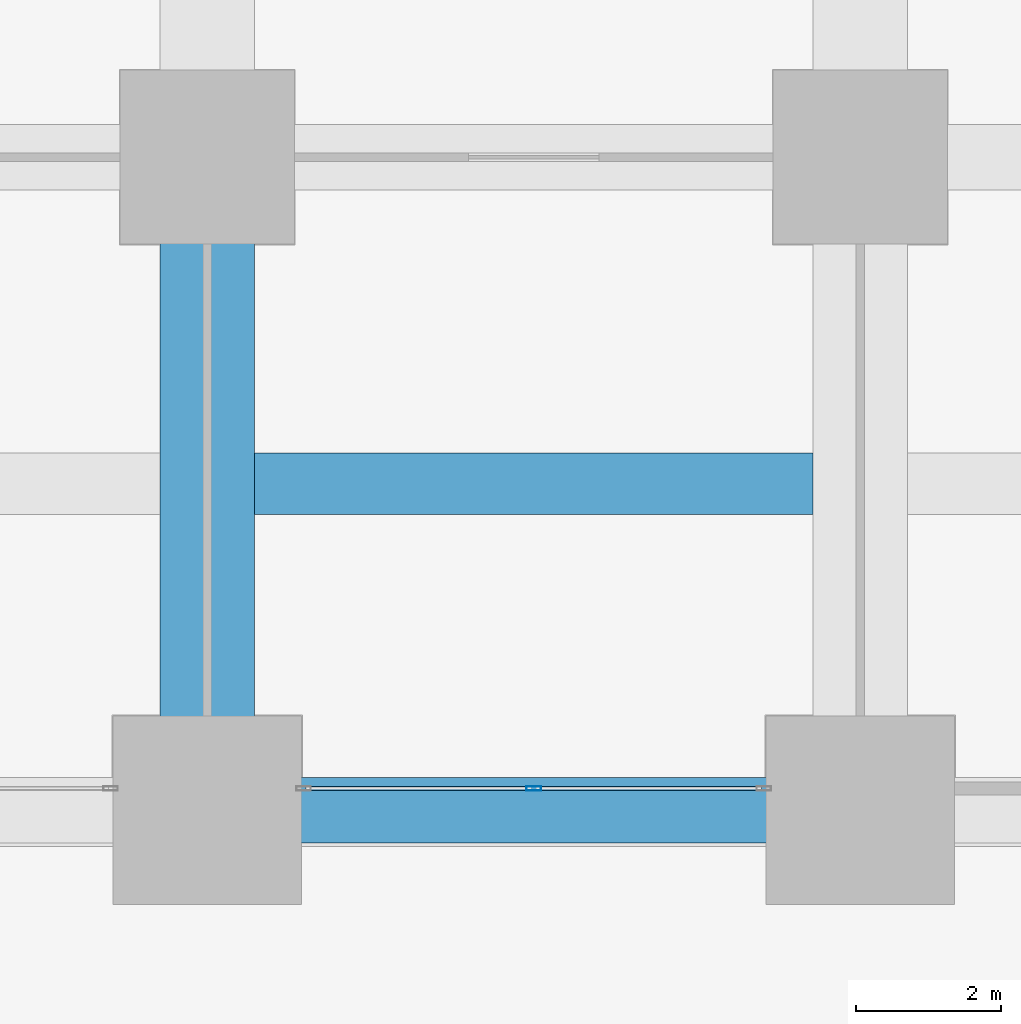
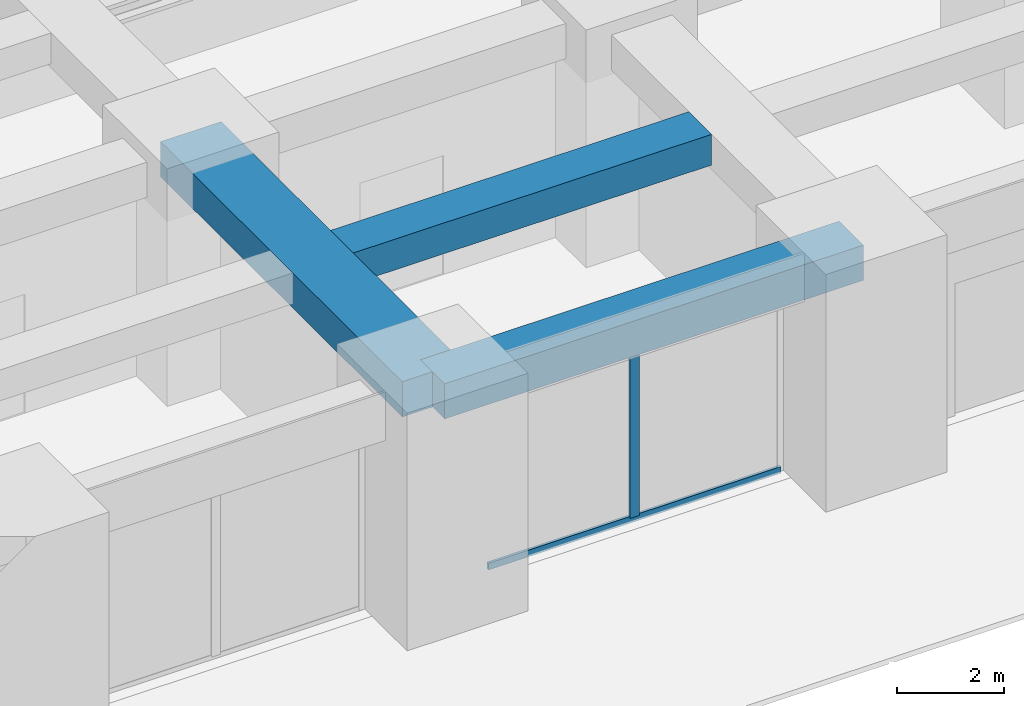
# One storey, part 7 of 56: 3 beams, 2 members, 1 element without a shape of its own.
"""IFC4 building model written with IfcOpenShell, lengths in metres."""

import ifcopenshell
import ifcopenshell.guid

model = None  # the IFC model being written
_history = None  # IfcOwnerHistory: only IFC2X3 demands one
_inside = {}  # id of a spatial element -> (the spatial element, [elements in it])
_under = {}  # id of a project, library or spatial element -> (it, [spatial elements below it])
_declared = {}  # id of a project -> (the project, [libraries it declares])
_typed = {}  # id of a type object -> (the type object, [elements of that type])
_made_of = {}  # id of a material, layer set ... -> (it, [elements and type objects made of it])


def new_model(schema):
    """Start an empty IFC model of exactly this schema.

    Asked for "IFC4X3", IfcOpenShell would pick the latest addendum, in which some entities
    have other attributes; the version numbers below select the first issue.
    IFC2X3 requires an IfcOwnerHistory on every rooted entity: one is made here for all.
    """
    global model, _history
    if schema == "IFC4X3":
        model = ifcopenshell.file(schema_version=(4, 3, 0, 0))
    else:
        model = ifcopenshell.file(schema=schema)
    _inside.clear()
    _under.clear()
    _declared.clear()
    _typed.clear()
    _made_of.clear()
    _history = None
    if model.schema == "IFC2X3":
        org = make("IfcOrganization", Name="unknown")
        user = make(
            "IfcPersonAndOrganization",
            ThePerson=make("IfcPerson", FamilyName="unknown"),
            TheOrganization=org,
        )
        app = make(
            "IfcApplication",
            ApplicationDeveloper=org,
            Version="unknown",
            ApplicationFullName="unknown",
            ApplicationIdentifier="unknown",
        )
        _history = make(
            "IfcOwnerHistory",
            OwningUser=user,
            OwningApplication=app,
            ChangeAction="ADDED",
            CreationDate=0,
        )
    return model


def make(cls, **values):
    """One entity of the class cls with the attributes given. An attribute that is None is left unset."""
    return model.create_entity(
        cls, **{name: value for name, value in values.items() if value is not None}
    )


def rooted(cls, **values):
    """An entity with a GlobalId (a new one), such as an element, a storey or a relation."""
    return make(cls, GlobalId=ifcopenshell.guid.new(), OwnerHistory=_history, **values)


def si_unit(unit_type, name, prefix=None):
    """IfcSIUnit, for example si_unit("LENGTHUNIT", "METRE", prefix="MILLI")."""
    return make("IfcSIUnit", UnitType=unit_type, Prefix=prefix, Name=name)


def assignment(units):
    """IfcUnitAssignment: the units of a project."""
    return None if units is None else make("IfcUnitAssignment", Units=units)


def point(xyz):
    """IfcCartesianPoint."""
    return None if xyz is None else make("IfcCartesianPoint", Coordinates=xyz)


def direction(xyz):
    """IfcDirection."""
    return None if xyz is None else make("IfcDirection", DirectionRatios=xyz)


def frame(location, z_axis=None, x_axis=None):
    """IfcAxis2Placement3D, a coordinate frame: its origin and axes. An axis left out is left unset."""
    return make(
        "IfcAxis2Placement3D",
        Location=point(location),
        Axis=direction(z_axis),
        RefDirection=direction(x_axis),
    )


def frame_2d(location, x_axis=None):
    """IfcAxis2Placement2D, a coordinate frame in the plane: its origin and x axis."""
    return make(
        "IfcAxis2Placement2D", Location=point(location), RefDirection=direction(x_axis)
    )


def origin():
    """The frame at (0, 0, 0) with its axes left unset."""
    return frame((0.0, 0.0, 0.0))


def origin_2d():
    """The frame at (0, 0) in the plane with its x axis left unset."""
    return frame_2d((0.0, 0.0))


def place(relative_to, where):
    """IfcLocalPlacement: puts the frame where relative to a parent placement (None: the world)."""
    return make(
        "IfcLocalPlacement", PlacementRelTo=relative_to, RelativePlacement=where
    )


def context(
    kind, dimensions, precision=None, world=None, true_north=None, identifier=None
):
    """IfcGeometricRepresentationContext, for example the 3D "Model" context."""
    return make(
        "IfcGeometricRepresentationContext",
        ContextIdentifier=identifier,
        ContextType=kind,
        CoordinateSpaceDimension=dimensions,
        Precision=precision,
        WorldCoordinateSystem=world,
        TrueNorth=true_north,
    )


def subcontext(parent, identifier, kind, view, scale=None):
    """IfcGeometricRepresentationSubContext, for example "Body" below "Model"."""
    return make(
        "IfcGeometricRepresentationSubContext",
        ContextIdentifier=identifier,
        ContextType=kind,
        ParentContext=parent,
        TargetScale=scale,
        TargetView=view,
    )


def project(units=None, contexts=None):
    """IfcProject with its units and contexts."""
    return rooted(
        "IfcProject",
        Name="project",
        RepresentationContexts=contexts,
        UnitsInContext=assignment(units),
    )


def spatial(cls, under=None, at=None, **own):
    """A site, building, storey or space (cls), placed at a placement, below another one or the project."""
    s = rooted(cls, ObjectPlacement=at, **own)
    if under is not None:
        _under.setdefault(under.id(), (under, []))[1].append(s)
    return s


def profile(cls, at=None, kind="AREA", **sizes):
    """A parametric profile (cls). Its sizes go by their IFC names, for example OverallWidth=200.0."""
    return make(cls, ProfileType=kind, Position=at, **sizes)


def rectangle(**sizes):
    """IfcRectangleProfileDef."""
    return profile("IfcRectangleProfileDef", **sizes)


def hollow_rectangle(**sizes):
    """IfcRectangleHollowProfileDef."""
    return profile("IfcRectangleHollowProfileDef", **sizes)


def extrude(swept, where, along, depth):
    """IfcExtrudedAreaSolid: the profile swept, set in the frame where, extruded along a direction by depth."""
    return make(
        "IfcExtrudedAreaSolid",
        SweptArea=swept,
        Position=where,
        ExtrudedDirection=direction(along),
        Depth=depth,
    )


def shape(context_of_items, identifier, shape_type, items):
    """IfcShapeRepresentation: the items that make up one representation, for example the "Body"."""
    return make(
        "IfcShapeRepresentation",
        ContextOfItems=context_of_items,
        RepresentationIdentifier=identifier,
        RepresentationType=shape_type,
        Items=items,
    )


def material(Name=None, Category=None):
    """IfcMaterial."""
    return make("IfcMaterial", Name=Name, Category=Category)


def material_profile(
    of_material, cross_section, Name=None, Category=None, Priority=None
):
    """IfcMaterialProfile: a cross section and its material."""
    return make(
        "IfcMaterialProfile",
        Name=Name,
        Material=of_material,
        Profile=cross_section,
        Priority=Priority,
        Category=Category,
    )


def profile_set(profiles, Name=None, composite=None):
    """IfcMaterialProfileSet."""
    return make(
        "IfcMaterialProfileSet",
        Name=Name,
        MaterialProfiles=profiles,
        CompositeProfile=composite,
    )


def made_of(thing, what):
    """Note that an element or type object is made of a material, layer set ...; save() writes the relation."""
    if what is not None:
        _made_of.setdefault(what.id(), (what, []))[1].append(thing)
    return thing


def type_object(cls, material=None, **own):
    """A type object (cls), such as IfcWallType, which elements share."""
    return made_of(rooted(cls, **own), material)


def element(
    cls,
    number,
    at=None,
    inside=None,
    cuts=None,
    type_object=None,
    material=None,
    context=None,
    identifier="Body",
    shape_type=None,
    held_by="IfcProductDefinitionShape",
    body=None,
    shapes=None,
    **own,
):
    """One element of the class cls, such as IfcWall. Its Tag is "e" and its number.

    at: its placement. inside: the storey or other place that contains it. cuts: it is an
    opening in that element (IfcRelVoidsElement). A single representation is given by context,
    identifier, shape_type and body (its items); several are given by shapes. held_by: the class
    of the entity that holds the representations. save() writes the other relations.
    """
    e = rooted(cls, Tag="e%d" % number, ObjectPlacement=at, **own)
    if body is not None:
        shapes = [shape(context, identifier, shape_type, body)]
    if shapes is not None:
        e.Representation = make(held_by, Representations=shapes)
    if inside is not None:
        _inside.setdefault(inside.id(), (inside, []))[1].append(e)
    if cuts is not None:
        rooted(
            "IfcRelVoidsElement", RelatingBuildingElement=cuts, RelatedOpeningElement=e
        )
    if type_object is not None:
        _typed.setdefault(type_object.id(), (type_object, []))[1].append(e)
    return made_of(e, material)


def aggregate(whole, parts):
    """IfcRelAggregates: a whole, such as a stair, and the parts it consists of."""
    return rooted("IfcRelAggregates", RelatingObject=whole, RelatedObjects=parts)


def save(model, path):
    """Write the relations noted so far, then the file.

    IfcRelAggregates (storeys below a building ...), IfcRelContainedInSpatialStructure (elements
    in a storey), IfcRelDefinesByType, IfcRelAssociatesMaterial and IfcRelDeclares: one each for
    every whole, place, type object, material and project.
    """
    for whole, parts in _under.values():
        aggregate(whole, parts)
    for where, things in _inside.values():
        rooted(
            "IfcRelContainedInSpatialStructure",
            RelatedElements=things,
            RelatingStructure=where,
        )
    for kind, things in _typed.values():
        rooted("IfcRelDefinesByType", RelatedObjects=things, RelatingType=kind)
    for what, things in _made_of.values():
        rooted("IfcRelAssociatesMaterial", RelatedObjects=things, RelatingMaterial=what)
    for by, libraries in _declared.values():
        rooted("IfcRelDeclares", RelatingContext=by, RelatedDefinitions=libraries)
    model.write(path)


model = new_model("IFC4")

# Units and contexts
model_context = context("Model", 3, precision=1e-05, world=origin(), true_north=direction((0.0, 1.0)))
body_context = subcontext(model_context, "Body", "Model", "MODEL_VIEW")
ifc_project = project(units=[si_unit("LENGTHUNIT", "METRE"), si_unit("AREAUNIT", "SQUARE_METRE"), si_unit("VOLUMEUNIT", "CUBIC_METRE"), si_unit("PLANEANGLEUNIT", "RADIAN"), si_unit("MASSUNIT", "GRAM", prefix="KILO")], contexts=[model_context])

# Site, building, storey
site_placement = place(None, origin())
site = spatial("IfcSite", under=ifc_project, at=site_placement, CompositionType="ELEMENT")
building_placement = place(site_placement, origin())
building = spatial("IfcBuilding", under=site, at=building_placement, Name="Zorevar Civic Tower", CompositionType="ELEMENT")
storey_placement = place(building_placement, origin())
storey = spatial("IfcBuildingStorey", under=building, at=storey_placement, Name="L00", CompositionType="ELEMENT", Elevation=0.0)

# Beams
ifc_material_1 = material(Name="Concrete C50/60", Category="concrete")
ifc_material_profile_1 = material_profile(ifc_material_1, rectangle(XDim=1.300048828125, YDim=0.800048828125, at=origin_2d()), Name="RC 1300x800")
ifc_profile_set_1 = profile_set([ifc_material_profile_1], Name="Concrete C50/60")
beam_type_1 = type_object("IfcBeamType", Name="Beam RC 1300x800", PredefinedType="BEAM", material=ifc_profile_set_1)
beam_1_placement = place(storey_placement, frame((18.0, 0.0, 4.699951171875), z_axis=(0.0, 1.0, 0.0), x_axis=(-1.0, 0.0, 0.0)))
element("IfcBeam", 1, at=beam_1_placement, inside=storey, type_object=beam_type_1, Name="Girder L01", PredefinedType="BEAM", context=body_context, shape_type="SweptSolid", body=[
    extrude(rectangle(XDim=1.300048828125, YDim=0.800048828125, at=origin_2d()), origin(), (0.0, 0.0, 1.0), 9.0),
])
ifc_material_2 = material(Name="Concrete C50/60", Category="concrete")
ifc_material_profile_2 = material_profile(ifc_material_2, rectangle(XDim=0.85009765625, YDim=0.699951171875, at=origin_2d()), Name="RC 850x700")
ifc_profile_set_2 = profile_set([ifc_material_profile_2], Name="Concrete C50/60")
beam_type_2 = type_object("IfcBeamType", Name="Beam RC 850x700", PredefinedType="BEAM", material=ifc_profile_set_2)
beam_2_placement = place(storey_placement, frame((18.64990234375, 4.5, 4.75), z_axis=(1.0, 0.0, 0.0), x_axis=(0.0, 1.0, 0.0)))
element("IfcBeam", 2, at=beam_2_placement, inside=storey, type_object=beam_type_2, Name="Secondary beam L01", PredefinedType="BEAM", context=body_context, shape_type="SweptSolid", body=[
    extrude(rectangle(XDim=0.85009765625, YDim=0.699951171875, at=origin_2d()), origin(), (0.0, 0.0, 1.0), 7.7001953125),
])

# Curtain wall, members
ifc_material_3 = material(Name="Dark grey solar-control glass in black aluminium frame", Category="aluminium")
curtain_wall_type = type_object("IfcCurtainWallType", Name="Curtain wall CW1 podium", PredefinedType="NOTDEFINED", material=ifc_material_3)
curtain_wall_placement = place(storey_placement, origin())
curtain_wall = element("IfcCurtainWall", 3, at=curtain_wall_placement, inside=storey, type_object=curtain_wall_type, Name="CW1 L00", PredefinedType="NOTDEFINED")
ifc_material_4 = material(Name="Aluminium, black anodised", Category="aluminium")
ifc_material_profile_3 = material_profile(ifc_material_4, hollow_rectangle(XDim=0.06005859375, YDim=0.199951171875, WallThickness=0.00390625, at=origin_2d()), Name="AL 200x60x4")
ifc_profile_set_3 = profile_set([ifc_material_profile_3], Name="Aluminium, black anodised")
member_type_1 = type_object("IfcMemberType", Name="CW1 mullion AL 200x60x4", PredefinedType="MULLION", material=ifc_profile_set_3)
member_1_placement = place(storey_placement, frame((22.5, 0.300048828125, 0.06005859375), z_axis=(0.0, 0.0, 1.0), x_axis=(0.0, 1.0, 0.0)))
member_1 = element("IfcMember", 4, at=member_1_placement, type_object=member_type_1, Name="CW1 mullion 2", PredefinedType="MULLION", context=body_context, shape_type="SweptSolid", body=[
    extrude(hollow_rectangle(XDim=0.06005859375, YDim=0.199951171875, WallThickness=0.00390625, at=origin_2d()), origin(), (0.0, 0.0, 1.0), 4.239990234375),
])
ifc_material_5 = material(Name="Aluminium, black anodised", Category="aluminium")
ifc_material_profile_4 = material_profile(ifc_material_5, hollow_rectangle(XDim=0.06005859375, YDim=0.14990234375, WallThickness=0.00390625, at=origin_2d()), Name="AL 150x60x4")
ifc_profile_set_4 = profile_set([ifc_material_profile_4], Name="Aluminium, black anodised")
member_type_2 = type_object("IfcMemberType", Name="CW1 transom AL 150x60x4", PredefinedType="USERDEFINED", material=ifc_profile_set_4)
member_2_placement = place(storey_placement, frame((19.360107421875, 0.300048828125, 0.030029296875), z_axis=(1.0, 0.0, 0.0), x_axis=(0.0, 1.0, 0.0)))
member_2 = element("IfcMember", 5, at=member_2_placement, type_object=member_type_2, Name="CW1 sill transom", ObjectType="TRANSOM", PredefinedType="USERDEFINED", context=body_context, shape_type="SweptSolid", body=[
    extrude(hollow_rectangle(XDim=0.06005859375, YDim=0.14990234375, WallThickness=0.00390625, at=origin_2d()), origin(), (0.0, 0.0, 1.0), 6.27978515625),
])
aggregate(curtain_wall, [member_1, member_2])

# Beam
ifc_material_6 = material(Name="Concrete C50/60", Category="concrete")
ifc_material_profile_5 = material_profile(ifc_material_6, rectangle(XDim=0.89990234375, YDim=0.800048828125, at=origin_2d()), Name="RC 900x800")
ifc_profile_set_5 = profile_set([ifc_material_profile_5], Name="Concrete C50/60")
beam_type_3 = type_object("IfcBeamType", Name="Edge beam RC 900x800", PredefinedType="SPANDREL", material=ifc_profile_set_5)
beam_3_placement = place(storey_placement, frame((18.0, 0.0, 4.699951171875), z_axis=(1.0, 0.0, 0.0), x_axis=(0.0, 1.0, 0.0)))
element("IfcBeam", 6, at=beam_3_placement, inside=storey, type_object=beam_type_3, Name="Edge beam L01", PredefinedType="SPANDREL", context=body_context, shape_type="SweptSolid", body=[
    extrude(rectangle(XDim=0.89990234375, YDim=0.800048828125, at=origin_2d()), origin(), (0.0, 0.0, 1.0), 9.0),
])

save(model, "model.ifc")
